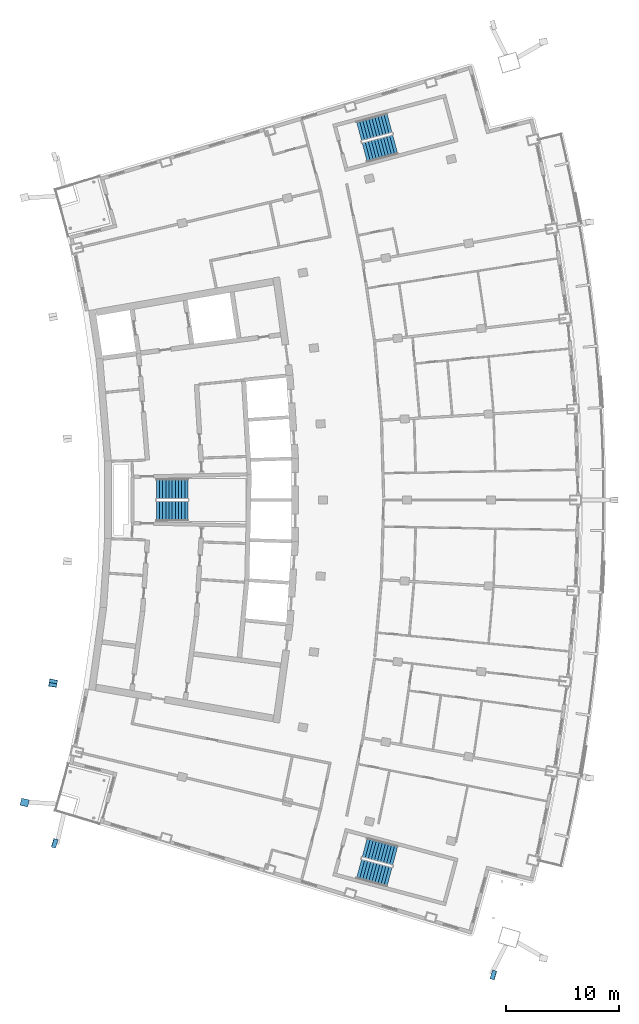
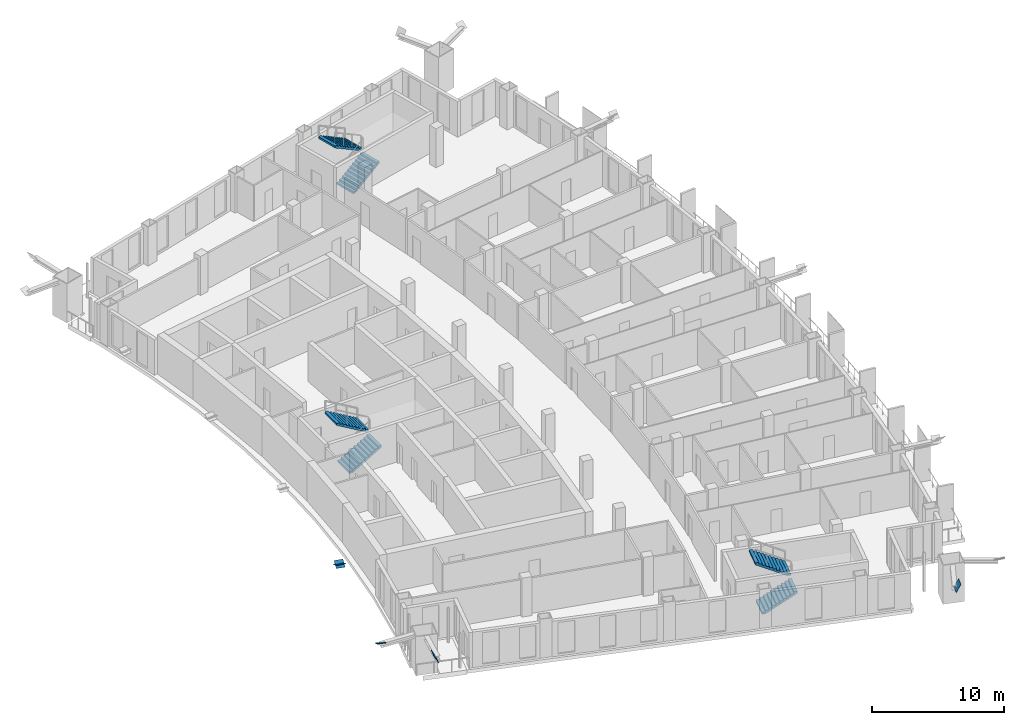
# One storey, part 16 of 21: 6 stair flights, 5 discrete accessories, 3 elements without a shape of their own.
"""IFC4 building model written with IfcOpenShell, lengths in metres."""

from ifc_helpers import new_model, si_unit, direction, frame, origin, origin_2d, place, context, subcontext, project, spatial, polyline, rectangle, outline, extrude, material, layer, layer_set, material_profile, profile_set, type_object, element, aggregate, save


model = new_model("IFC4")

# Units and contexts
model_context = context("Model", 3, precision=1e-05, world=origin(), true_north=direction((0.0, 1.0)))
body_context = subcontext(model_context, "Body", "Model", "MODEL_VIEW")
ifc_project = project(units=[si_unit("LENGTHUNIT", "METRE"), si_unit("AREAUNIT", "SQUARE_METRE"), si_unit("VOLUMEUNIT", "CUBIC_METRE"), si_unit("PLANEANGLEUNIT", "RADIAN"), si_unit("MASSUNIT", "GRAM", prefix="KILO")], contexts=[model_context])

# Site, building, storey
site_placement = place(None, origin())
site = spatial("IfcSite", under=ifc_project, at=site_placement, CompositionType="ELEMENT")
building_placement = place(site_placement, origin())
building = spatial("IfcBuilding", under=site, at=building_placement, Name="Alderwake Tower", CompositionType="ELEMENT")
storey_placement = place(building_placement, frame((0.0, 0.0, 207.199951171875)))
storey = spatial("IfcBuildingStorey", under=building, at=storey_placement, Name="L51", CompositionType="ELEMENT", Elevation=207.199951171875)

# Stair, stair flights
ifc_material_1 = material(Name="Concrete C40/50", Category="concrete")
stair_type = type_object("IfcStairType", Name="Core exit stair", PredefinedType="HALF_TURN_STAIR", material=ifc_material_1)
stair_1_placement = place(storey_placement, origin())
stair_1 = element("IfcStair", 1, at=stair_1_placement, inside=storey, type_object=stair_type, Name="L51 Exit Stair B", PredefinedType="HALF_TURN_STAIR")
ifc_material_2 = material(Name="Concrete C40/50", Category="concrete")
ifc_layer = layer(ifc_material_2, 0.14990234375)
ifc_layer_set = layer_set([ifc_layer], Name="Core stair flight")
stair_flight_type = type_object("IfcStairFlightType", Name="Core stair flight", PredefinedType="STRAIGHT", material=ifc_layer_set)
stair_flight_1_placement = place(storey_placement, frame((21.0400390625, 60.02490234375, 0.0), z_axis=(0.0, 0.0, 1.0), x_axis=(1.0, 0.0, 0.0)))
stair_flight_1 = element("IfcStairFlight", 2, at=stair_flight_1_placement, type_object=stair_flight_type, Name="ST-B flight 1", NumberOfRisers=11, NumberOfTreads=10, PredefinedType="STRAIGHT", RiserHeight=0.163636364, TreadLength=0.28, context=body_context, shape_type="SweptSolid", body=[
    extrude(outline(polyline([(0.0, 0.0), (0.0, 0.16357421875), (0.280029296875, 0.16357421875), (0.280029296875, 0.327392578125), (0.56005859375, 0.327392578125), (0.56005859375, 0.490966796875), (0.840087890625, 0.490966796875), (0.840087890625, 0.654541015625), (1.1201171875, 0.654541015625), (1.1201171875, 0.818115234375), (1.39990234375, 0.818115234375), (1.39990234375, 0.98193359375), (1.679931640625, 0.98193359375), (1.679931640625, 1.1455078125), (1.9599609375, 1.1455078125), (1.9599609375, 1.30908203125), (2.239990234375, 1.30908203125), (2.239990234375, 1.47265625), (2.52001953125, 1.47265625), (2.52001953125, 1.636474609375), (2.800048828125, 1.636474609375), (2.800048828125, 1.800048828125), (2.800048828125, 1.462646484375), (0.297119140625, 0.0), (0.0, 0.0)])), frame((0.0, 0.89990234375, 0.0), z_axis=(0.0, -1.0, 0.0), x_axis=(1.0, 0.0, 0.0)), (0.0, 0.0, 1.0), 1.800048828125),
])
stair_flight_2_placement = place(storey_placement, frame((23.840087890625, 61.97509765625, 1.800048828125), z_axis=(0.0, 0.0, 1.0), x_axis=(-1.0, 0.0, 0.0)))
stair_flight_2 = element("IfcStairFlight", 3, at=stair_flight_2_placement, type_object=stair_flight_type, Name="ST-B flight 2", NumberOfRisers=11, NumberOfTreads=10, PredefinedType="STRAIGHT", RiserHeight=0.163636364, TreadLength=0.28, context=body_context, shape_type="SweptSolid", body=[
    extrude(outline(polyline([(0.0, 0.0), (0.0, 0.16357421875), (0.280029296875, 0.16357421875), (0.280029296875, 0.327392578125), (0.56005859375, 0.327392578125), (0.56005859375, 0.490966796875), (0.840087890625, 0.490966796875), (0.840087890625, 0.654541015625), (1.1201171875, 0.654541015625), (1.1201171875, 0.818115234375), (1.39990234375, 0.818115234375), (1.39990234375, 0.98193359375), (1.679931640625, 0.98193359375), (1.679931640625, 1.1455078125), (1.9599609375, 1.1455078125), (1.9599609375, 1.30908203125), (2.239990234375, 1.30908203125), (2.239990234375, 1.47265625), (2.52001953125, 1.47265625), (2.52001953125, 1.636474609375), (2.800048828125, 1.636474609375), (2.800048828125, 1.800048828125), (2.800048828125, 1.462646484375), (0.297119140625, 0.0), (0.0, 0.0)])), frame((0.0, 0.89990234375, 0.0), z_axis=(0.0, -1.0, 0.0), x_axis=(1.0, 0.0, 0.0)), (0.0, 0.0, 1.0), 1.800048828125),
])
aggregate(stair_1, [stair_flight_1, stair_flight_2])

stair_2_placement = place(storey_placement, origin())
stair_2 = element("IfcStair", 4, at=stair_2_placement, inside=storey, type_object=stair_type, Name="L51 Exit Stair A", PredefinedType="HALF_TURN_STAIR")
stair_flight_3_placement = place(storey_placement, frame((39.512939453125, 91.823974609375, 0.0), z_axis=(0.0, 0.0, 1.0), x_axis=(0.966309627437, 0.257382407951, 0.0)))
stair_flight_3 = element("IfcStairFlight", 5, at=stair_flight_3_placement, type_object=stair_flight_type, Name="ST-A flight 1", NumberOfRisers=11, NumberOfTreads=10, PredefinedType="STRAIGHT", RiserHeight=0.163636364, TreadLength=0.28, context=body_context, shape_type="SweptSolid", body=[
    extrude(outline(polyline([(0.0, 0.0), (0.0, 0.16357421875), (0.280029296875, 0.16357421875), (0.280029296875, 0.327392578125), (0.56005859375, 0.327392578125), (0.56005859375, 0.490966796875), (0.840087890625, 0.490966796875), (0.840087890625, 0.654541015625), (1.1201171875, 0.654541015625), (1.1201171875, 0.818115234375), (1.39990234375, 0.818115234375), (1.39990234375, 0.98193359375), (1.679931640625, 0.98193359375), (1.679931640625, 1.1455078125), (1.9599609375, 1.1455078125), (1.9599609375, 1.30908203125), (2.239990234375, 1.30908203125), (2.239990234375, 1.47265625), (2.52001953125, 1.47265625), (2.52001953125, 1.636474609375), (2.800048828125, 1.636474609375), (2.800048828125, 1.800048828125), (2.800048828125, 1.462646484375), (0.297119140625, 0.0), (0.0, 0.0)])), frame((0.0, 0.89990234375, 0.0), z_axis=(0.0, -1.0, 0.0), x_axis=(1.0, 0.0, 0.0)), (0.0, 0.0, 1.0), 1.800048828125),
])
stair_flight_4_placement = place(storey_placement, frame((41.716796875, 94.428955078125, 1.800048828125), z_axis=(0.0, 0.0, 1.0), x_axis=(-0.966309627437, -0.257382407951, 0.0)))
stair_flight_4 = element("IfcStairFlight", 6, at=stair_flight_4_placement, type_object=stair_flight_type, Name="ST-A flight 2", NumberOfRisers=11, NumberOfTreads=10, PredefinedType="STRAIGHT", RiserHeight=0.163636364, TreadLength=0.28, context=body_context, shape_type="SweptSolid", body=[
    extrude(outline(polyline([(0.0, 0.0), (0.0, 0.16357421875), (0.280029296875, 0.16357421875), (0.280029296875, 0.327392578125), (0.56005859375, 0.327392578125), (0.56005859375, 0.490966796875), (0.840087890625, 0.490966796875), (0.840087890625, 0.654541015625), (1.1201171875, 0.654541015625), (1.1201171875, 0.818115234375), (1.39990234375, 0.818115234375), (1.39990234375, 0.98193359375), (1.679931640625, 0.98193359375), (1.679931640625, 1.1455078125), (1.9599609375, 1.1455078125), (1.9599609375, 1.30908203125), (2.239990234375, 1.30908203125), (2.239990234375, 1.47265625), (2.52001953125, 1.47265625), (2.52001953125, 1.636474609375), (2.800048828125, 1.636474609375), (2.800048828125, 1.800048828125), (2.800048828125, 1.462646484375), (0.297119140625, 0.0), (0.0, 0.0)])), frame((0.0, 0.89990234375, 0.0), z_axis=(0.0, -1.0, 0.0), x_axis=(1.0, 0.0, 0.0)), (0.0, 0.0, 1.0), 1.800048828125),
])
aggregate(stair_2, [stair_flight_3, stair_flight_4])

stair_3_placement = place(storey_placement, origin())
stair_3 = element("IfcStair", 7, at=stair_3_placement, inside=storey, type_object=stair_type, Name="L51 Exit Stair C", PredefinedType="HALF_TURN_STAIR")
stair_flight_5_placement = place(storey_placement, frame((39.010986328125, 28.291748046875, 0.0), z_axis=(0.0, 0.0, 1.0), x_axis=(0.966309627437, -0.257382407951, 0.0)))
stair_flight_5 = element("IfcStairFlight", 8, at=stair_flight_5_placement, type_object=stair_flight_type, Name="ST-C flight 1", NumberOfRisers=11, NumberOfTreads=10, PredefinedType="STRAIGHT", RiserHeight=0.163636364, TreadLength=0.28, context=body_context, shape_type="SweptSolid", body=[
    extrude(outline(polyline([(0.0, 0.0), (0.0, 0.16357421875), (0.280029296875, 0.16357421875), (0.280029296875, 0.327392578125), (0.56005859375, 0.327392578125), (0.56005859375, 0.490966796875), (0.840087890625, 0.490966796875), (0.840087890625, 0.654541015625), (1.1201171875, 0.654541015625), (1.1201171875, 0.818115234375), (1.39990234375, 0.818115234375), (1.39990234375, 0.98193359375), (1.679931640625, 0.98193359375), (1.679931640625, 1.1455078125), (1.9599609375, 1.1455078125), (1.9599609375, 1.30908203125), (2.239990234375, 1.30908203125), (2.239990234375, 1.47265625), (2.52001953125, 1.47265625), (2.52001953125, 1.636474609375), (2.800048828125, 1.636474609375), (2.800048828125, 1.800048828125), (2.800048828125, 1.462646484375), (0.297119140625, 0.0), (0.0, 0.0)])), frame((0.0, 0.89990234375, 0.0), z_axis=(0.0, -1.0, 0.0), x_axis=(1.0, 0.0, 0.0)), (0.0, 0.0, 1.0), 1.800048828125),
])
stair_flight_6_placement = place(storey_placement, frame((42.218505859375, 29.455322265625, 1.800048828125), z_axis=(0.0, 0.0, 1.0), x_axis=(-0.966309627437, 0.257382407951, 0.0)))
stair_flight_6 = element("IfcStairFlight", 9, at=stair_flight_6_placement, type_object=stair_flight_type, Name="ST-C flight 2", NumberOfRisers=11, NumberOfTreads=10, PredefinedType="STRAIGHT", RiserHeight=0.163636364, TreadLength=0.28, context=body_context, shape_type="SweptSolid", body=[
    extrude(outline(polyline([(0.0, 0.0), (0.0, 0.16357421875), (0.280029296875, 0.16357421875), (0.280029296875, 0.327392578125), (0.56005859375, 0.327392578125), (0.56005859375, 0.490966796875), (0.840087890625, 0.490966796875), (0.840087890625, 0.654541015625), (1.1201171875, 0.654541015625), (1.1201171875, 0.818115234375), (1.39990234375, 0.818115234375), (1.39990234375, 0.98193359375), (1.679931640625, 0.98193359375), (1.679931640625, 1.1455078125), (1.9599609375, 1.1455078125), (1.9599609375, 1.30908203125), (2.239990234375, 1.30908203125), (2.239990234375, 1.47265625), (2.52001953125, 1.47265625), (2.52001953125, 1.636474609375), (2.800048828125, 1.636474609375), (2.800048828125, 1.800048828125), (2.800048828125, 1.462646484375), (0.297119140625, 0.0), (0.0, 0.0)])), frame((0.0, 0.89990234375, 0.0), z_axis=(0.0, -1.0, 0.0), x_axis=(1.0, 0.0, 0.0)), (0.0, 0.0, 1.0), 1.800048828125),
])
aggregate(stair_3, [stair_flight_5, stair_flight_6])

# Discrete accessories
ifc_material_3 = material(Name="Steel ASTM A572 Grade 50", Category="steel")
ifc_material_profile_1 = material_profile(ifc_material_3, rectangle(XDim=0.699951171875, YDim=0.699951171875, at=origin_2d()), Name="BOX 700X700X45 cap")
ifc_profile_set_1 = profile_set([ifc_material_profile_1], Name="Steel ASTM A572 Grade 50")
discrete_accessory_type_1 = type_object("IfcDiscreteAccessoryType", Name="End cap plate BOX 700X700X45", PredefinedType="USERDEFINED", material=ifc_profile_set_1)
for number, where, z_axis, x_axis, name in (
    (10, (9.359619140625, 34.171630859375, 3.60009765625), (-0.105869651339, -0.43162242469, -0.895820126716), (0.971210844098, -0.238221527798, 0.0), "End cap BRR4.2.2A S"),
    (11, (11.875, 44.755615234375, 3.60009765625), (0.105495990526, 0.438214114494, -0.892658381376), (-0.972223637158, 0.234053838575, 0.0), "End cap BRR4.2.2B1 S"),
    (12, (11.875, 44.755615234375, 3.60009765625), (-0.056826119483, -0.446490938798, -0.892981877596), (0.991997911724, -0.126254279674, 0.0), "End cap BRR4.2.4A S"),
):
    element("IfcDiscreteAccessory", number, at=place(storey_placement, frame(where, z_axis=z_axis, x_axis=x_axis)), inside=storey, type_object=discrete_accessory_type_1, Name=name, ObjectType="END CAP", PredefinedType="USERDEFINED", context=body_context, shape_type="SweptSolid", body=[
        extrude(rectangle(XDim=0.699951171875, YDim=0.699951171875, at=origin_2d()), origin(), (0.0, 0.0, 1.0), 0.030029296875),
    ])
ifc_material_4 = material(Name="Steel ASTM A572 Grade 50", Category="steel")
ifc_material_profile_2 = material_profile(ifc_material_4, rectangle(XDim=0.800048828125, YDim=0.800048828125, at=origin_2d()), Name="BOX 800X800X50 cap")
ifc_profile_set_2 = profile_set([ifc_material_profile_2], Name="Steel ASTM A572 Grade 50")
discrete_accessory_type_2 = type_object("IfcDiscreteAccessoryType", Name="End cap plate BOX 800X800X50", PredefinedType="USERDEFINED", material=ifc_profile_set_2)
discrete_accessory_1_placement = place(storey_placement, frame((12.031005859375, 30.550537109375, 3.60009765625), z_axis=(-0.84284778768, 0.253672635127, -0.474613317334), x_axis=(-0.288200688743, -0.957570030341, 0.0)))
element("IfcDiscreteAccessory", 13, at=discrete_accessory_1_placement, inside=storey, type_object=discrete_accessory_type_2, Name="End cap BRS4.2.0A S", ObjectType="END CAP", PredefinedType="USERDEFINED", context=body_context, shape_type="SweptSolid", body=[
    extrude(rectangle(XDim=0.800048828125, YDim=0.800048828125, at=origin_2d()), origin(), (0.0, 0.0, 1.0), 0.02978515625),
])
discrete_accessory_2_placement = place(storey_placement, frame((50.91650390625, 18.876220703125, 3.60009765625), z_axis=(0.843440418178, -0.25952012867, -0.470380233215), x_axis=(0.294085848838, 0.955779008722, 0.0)))
element("IfcDiscreteAccessory", 14, at=discrete_accessory_2_placement, inside=storey, type_object=discrete_accessory_type_2, Name="End cap BRS4.2.0B1 S", ObjectType="END CAP", PredefinedType="USERDEFINED", context=body_context, shape_type="SweptSolid", body=[
    extrude(rectangle(XDim=0.800048828125, YDim=0.800048828125, at=origin_2d()), origin(), (0.0, 0.0, 1.0), 0.030029296875),
])

save(model, "model.ifc")
